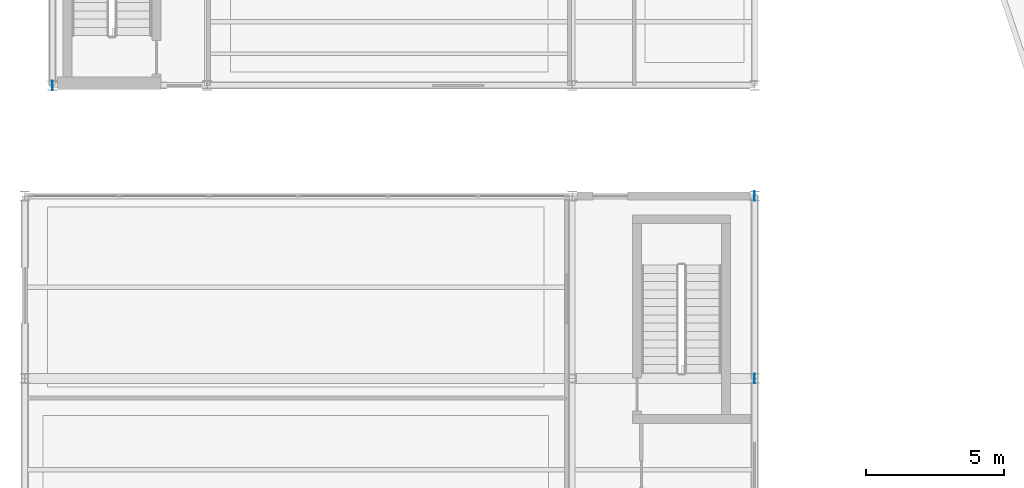
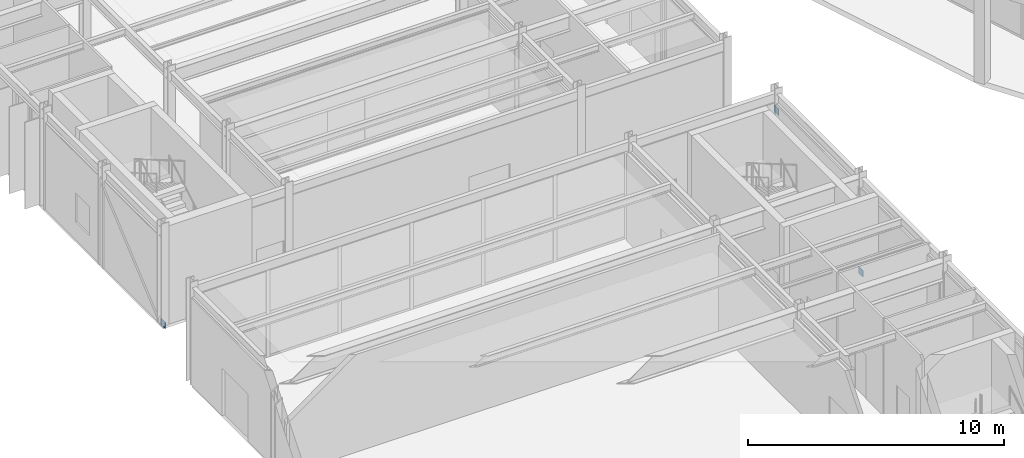
# One storey, part 107 of 144: 3 plates.
"""IFC4 building model written with IfcOpenShell, lengths in metres."""

from ifc_helpers import new_model, si_unit, direction, frame, origin, origin_2d, place, context, subcontext, project, spatial, rectangle, extrude, material, layer, layer_set, type_object, element, save


model = new_model("IFC4")

# Units and contexts
model_context = context("Model", 3, precision=1e-05, world=origin(), true_north=direction((0.0, 1.0)))
body_context = subcontext(model_context, "Body", "Model", "MODEL_VIEW")
ifc_project = project(units=[si_unit("LENGTHUNIT", "METRE"), si_unit("AREAUNIT", "SQUARE_METRE"), si_unit("VOLUMEUNIT", "CUBIC_METRE"), si_unit("PLANEANGLEUNIT", "RADIAN"), si_unit("MASSUNIT", "GRAM", prefix="KILO")], contexts=[model_context])

# Site, building, storey
site_placement = place(None, origin())
site = spatial("IfcSite", under=ifc_project, at=site_placement, CompositionType="ELEMENT")
building_placement = place(site_placement, origin())
building = spatial("IfcBuilding", under=site, at=building_placement, Name="Karori Crest Natural Sciences Institute", CompositionType="ELEMENT")
storey_placement = place(building_placement, origin())
storey = spatial("IfcBuildingStorey", under=building, at=storey_placement, Name="L00", CompositionType="ELEMENT", Elevation=0.0)

# Plates
ifc_material = material(Name="Structural steel AS/NZS 3679.1 Grade 350", Category="steel")
ifc_layer = layer(ifc_material, 0.02490234375, Name="Structural steel AS/NZS 3679.1 Grade 350")
ifc_layer_set = layer_set([ifc_layer], Name="Structural steel AS/NZS 3679.1 Grade 350")
plate_type = type_object("IfcPlateType", Name="PLT-06-EL", PredefinedType="SHEET", material=ifc_layer_set)
for number, where, z_axis, x_axis, name in (
    (1, (27.199951171875, 20.60009765625, -0.146484375), (0.0, 0.0, 1.0), (0.0, 1.0, 0.0), "Brace gusset plate EP-0215"),
    (2, (27.199951171875, 27.199951171875, 3.5654296875), (0.0, 0.0, 1.0), (0.0, 1.0, 0.0), "Brace gusset plate EP-0216"),
    (3, (1.800048828125, 31.199951171875, -0.146484375), (0.0, 0.0, 1.0), (0.0, 1.0, 0.0), "Brace gusset plate EP-0241"),
):
    element("IfcPlate", number, at=place(storey_placement, frame(where, z_axis=z_axis, x_axis=x_axis)), inside=storey, type_object=plate_type, Name=name, PredefinedType="SHEET", context=body_context, shape_type="SweptSolid", body=[
        extrude(rectangle(XDim=0.35302734375, YDim=0.02490234375, at=origin_2d()), origin(), (0.0, 0.0, 1.0), 0.31298828125),
    ])

save(model, "model.ifc")
